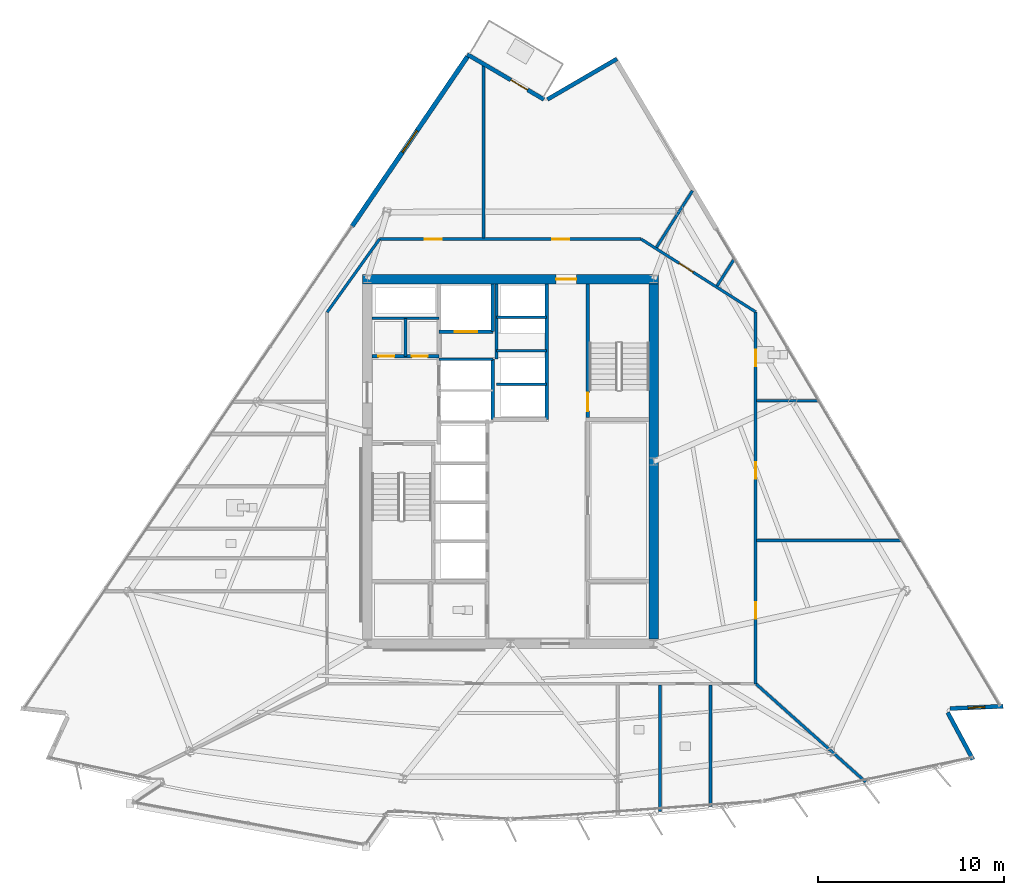
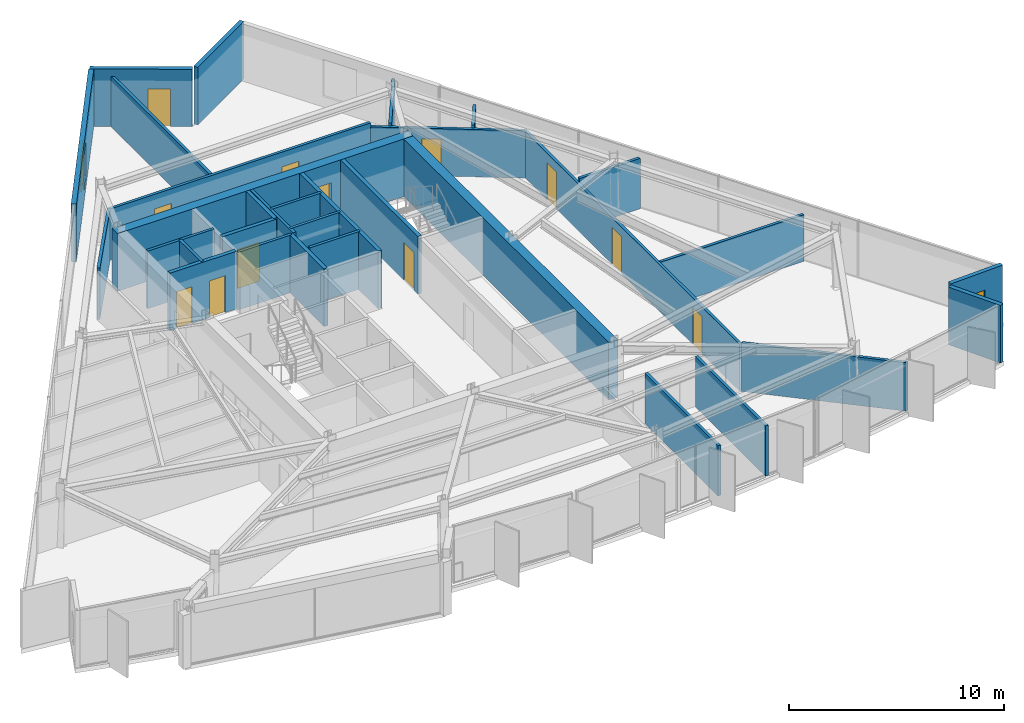
# One storey, part 9 of 14: 32 walls, 12 doors, 2 windows, 14 openings.
"""IFC4 building model written with IfcOpenShell, lengths in metres."""

from ifc_helpers import new_model, si_unit, direction, frame, frame_2d, origin, place, context, subcontext, project, spatial, rectangle, extrude, material, layer, layer_set, type_object, element, fill, save


model = new_model("IFC4")

# Units and contexts
model_context = context("Model", 3, precision=1e-05, world=origin(), true_north=direction((0.0, 1.0)))
body_context = subcontext(model_context, "Body", "Model", "MODEL_VIEW")
ifc_project = project(units=[si_unit("LENGTHUNIT", "METRE"), si_unit("AREAUNIT", "SQUARE_METRE"), si_unit("VOLUMEUNIT", "CUBIC_METRE"), si_unit("PLANEANGLEUNIT", "RADIAN"), si_unit("MASSUNIT", "GRAM", prefix="KILO")], contexts=[model_context])

# Site, building, storey
site_placement = place(None, origin())
site = spatial("IfcSite", under=ifc_project, at=site_placement, CompositionType="ELEMENT")
building_placement = place(site_placement, origin())
building = spatial("IfcBuilding", under=site, at=building_placement, Name="Savorim Split Tower", CompositionType="ELEMENT")
storey_placement = place(building_placement, frame((0.0, 0.0, 181.800048828125)))
storey = spatial("IfcBuildingStorey", under=building, at=storey_placement, Name="L48", CompositionType="ELEMENT", Elevation=181.800048828125)

# Wall, opening, door
ifc_material_1 = material(Name="Concrete C60/75", Category="concrete")
ifc_layer_1 = layer(ifc_material_1, 0.5)
ifc_layer_set_1 = layer_set([ifc_layer_1], Name="WAL-COR-SH500")
wall_type_1 = type_object("IfcWallType", Name="WAL-COR-SH500", PredefinedType="SHEAR", material=ifc_layer_set_1)
wall_1_placement = place(storey_placement, frame((7.949951171875, 10.199951171875, 0.0), z_axis=(0.0, 0.0, 1.0), x_axis=(-1.0, 0.0, 0.0)))
wall_1 = element("IfcWall", 1, at=wall_1_placement, inside=storey, type_object=wall_type_1, Name="L48 Offset Core North Shear Wall", PredefinedType="SHEAR", context=body_context, shape_type="SweptSolid", body=[
    extrude(rectangle(XDim=15.89990234375, YDim=0.5, at=frame_2d((7.949951171875, 0.0))), origin(), (0.0, 0.0, 1.0), 3.280029296875),
])
opening_1_placement = place(wall_1_placement, frame((4.39990234375, 0.0, 0.0)))
opening_1 = element("IfcOpeningElement", 2, at=opening_1_placement, cuts=wall_1, Name="Opening DI-03", PredefinedType="OPENING", context=body_context, shape_type="SweptSolid", body=[
    extrude(rectangle(XDim=1.10009765625, YDim=2.14990234375, at=frame_2d((0.550048828125, 1.074951171875))), frame((0.0, 0.260009765625, 0.0), z_axis=(0.0, -1.0, 0.0), x_axis=(1.0, 0.0, 0.0)), (0.0, 0.0, 1.0), 0.52001953125),
])
ifc_material_2 = material(Name="Timber Fire Door Leaf", Category="wood")
door_type_1 = type_object("IfcDoorType", Name="DOR-FIR-1100", OperationType="NOTDEFINED", PredefinedType="DOOR", material=ifc_material_2)
door_1_placement = place(opening_1_placement, origin())
door_1 = element("IfcDoor", 3, at=door_1_placement, inside=storey, type_object=door_type_1, Name="DOR-L48-COR-NLOB - L48 North Corridor Lobby Fire Door", OperationType="SINGLE_SWING_LEFT", OverallHeight=2.14990234375, OverallWidth=1.10009765625, PredefinedType="DOOR", context=body_context, shape_type="SweptSolid", body=[
    extrude(rectangle(XDim=1.10009765625, YDim=2.14990234375, at=frame_2d((0.550048828125, 1.074951171875))), frame((0.0, 0.02490234375, 0.0), z_axis=(0.0, -1.0, 0.0), x_axis=(1.0, 0.0, 0.0)), (0.0, 0.0, 1.0), 0.050048828125),
])
fill(opening_1, door_1)

# Walls
wall_2_placement = place(storey_placement, frame((7.699951171875, 9.949951171875, 0.0), z_axis=(0.0, 0.0, 1.0), x_axis=(0.0, -1.0, 0.0)))
element("IfcWall", 4, at=wall_2_placement, inside=storey, type_object=wall_type_1, Name="L48 Offset Core East Shear Wall", PredefinedType="SHEAR", context=body_context, shape_type="SweptSolid", body=[
    extrude(rectangle(XDim=19.099853515625, YDim=0.5, at=frame_2d((9.5498046875, 0.0))), origin(), (0.0, 0.0, 1.0), 3.280029296875),
])
ifc_material_3 = material(Name="Precast concrete C40/50", Category="concrete")
ifc_layer_2 = layer(ifc_material_3, 0.219970703125)
ifc_layer_set_2 = layer_set([ifc_layer_2], Name="WAL-EXT-CRN220")
wall_type_2 = type_object("IfcWallType", Name="WAL-EXT-CRN220", PredefinedType="SOLIDWALL", material=ifc_layer_set_2)
wall_3_placement = place(storey_placement, frame((23.51123046875, -13.102294921875, 0.0), z_axis=(0.0, 0.0, 1.0), x_axis=(0.472804807667, -0.881167188362, 0.0)))
element("IfcWall", 5, at=wall_3_placement, inside=storey, type_object=wall_type_2, Name="L48 Notched Corner Facade Wall SE1", PredefinedType="SOLIDWALL", context=body_context, shape_type="SweptSolid", body=[
    extrude(rectangle(XDim=2.867919921875, YDim=0.219970703125, at=frame_2d((1.43408203125, 0.0))), origin(), (0.0, 0.0, 1.0), 3.280029296875),
])

# Wall, opening, window
wall_4_placement = place(storey_placement, frame((26.495849609375, -12.766845703125, 0.0), z_axis=(0.0, 0.0, 1.0), x_axis=(-0.999095763679, -0.042516526188, 0.0)))
wall_4 = element("IfcWall", 6, at=wall_4_placement, inside=storey, type_object=wall_type_2, Name="L48 Notched Corner Facade Wall SE", PredefinedType="SOLIDWALL", context=body_context, shape_type="SweptSolid", body=[
    extrude(rectangle(XDim=2.865478515625, YDim=0.219970703125, at=frame_2d((1.4326171875, 0.0))), origin(), (0.0, 0.0, 1.0), 3.280029296875),
])
opening_2_placement = place(wall_4_placement, frame((0.982666015625, 0.0, 0.6201171875)))
opening_2 = element("IfcOpeningElement", 7, at=opening_2_placement, cuts=wall_4, Name="Opening WN-10", PredefinedType="OPENING", context=body_context, shape_type="SweptSolid", body=[
    extrude(rectangle(XDim=0.89990234375, YDim=1.60009765625, at=frame_2d((0.449951171875, 0.800048828125))), frame((0.0, 0.119873046875, 0.0), z_axis=(0.0, -1.0, 0.0), x_axis=(1.0, 0.0, 0.0)), (0.0, 0.0, 1.0), 0.239990234375),
])
ifc_material_4 = material(Name="Low-E Operable Double Glazing", Category="glass")
window_type_1 = type_object("IfcWindowType", Name="WIN-TWR-900x1600", PartitioningType="SINGLE_PANEL", PredefinedType="WINDOW", material=ifc_material_4)
window_1_placement = place(opening_2_placement, origin())
window_1 = element("IfcWindow", 8, at=window_1_placement, inside=storey, type_object=window_type_1, Name="L48 Operable Corner Window SE", OverallHeight=1.60009765625, OverallWidth=0.89990234375, PartitioningType="SINGLE_PANEL", PredefinedType="WINDOW", context=body_context, shape_type="SweptSolid", body=[
    extrude(rectangle(XDim=0.89990234375, YDim=1.60009765625, at=frame_2d((0.449951171875, 0.800048828125))), frame((0.0, 0.030029296875, 0.0), z_axis=(0.0, -1.0, 0.0), x_axis=(1.0, 0.0, 0.0)), (0.0, 0.0, 1.0), 0.06005859375),
])
fill(opening_2, window_1)

# Wall
wall_5_placement = place(storey_placement, frame((1.987060546875, 19.867919921875, 0.0), z_axis=(0.0, 0.0, 1.0), x_axis=(0.863979520686, 0.503526948469, 0.0)))
element("IfcWall", 9, at=wall_5_placement, inside=storey, type_object=wall_type_2, Name="L48 Notched Corner Facade Wall NE1", PredefinedType="SOLIDWALL", context=body_context, shape_type="SweptSolid", body=[
    extrude(rectangle(XDim=4.323974609375, YDim=0.219970703125, at=frame_2d((2.162109375, 0.0))), origin(), (0.0, 0.0, 1.0), 3.280029296875),
])

# Wall, opening, door
wall_6_placement = place(storey_placement, frame((-2.32177734375, 22.288818359375, 0.0), z_axis=(0.0, 0.0, 1.0), x_axis=(0.862111523483, -0.506718581738, 0.0)))
wall_6 = element("IfcWall", 10, at=wall_6_placement, inside=storey, type_object=wall_type_2, Name="L48 Notched Corner Facade Wall N", PredefinedType="SOLIDWALL", context=body_context, shape_type="SweptSolid", body=[
    extrude(rectangle(XDim=4.777099609375, YDim=0.219970703125, at=frame_2d((2.388671875, 0.0))), origin(), (0.0, 0.0, 1.0), 3.280029296875),
])
opening_3_placement = place(wall_6_placement, frame((2.713623046875, 0.0, 0.0)))
opening_3 = element("IfcOpeningElement", 11, at=opening_3_placement, cuts=wall_6, Name="Opening DB-01", PredefinedType="OPENING", context=body_context, shape_type="SweptSolid", body=[
    extrude(rectangle(XDim=1.050048828125, YDim=2.14990234375, at=frame_2d((0.52490234375, 1.074951171875))), frame((0.0, 0.119873046875, 0.0), z_axis=(0.0, -1.0, 0.0), x_axis=(1.0, 0.0, 0.0)), (0.0, 0.0, 1.0), 0.239990234375),
])
ifc_material_5 = material(Name="Charcoal Anodised Aluminium", Category="aluminium")
door_type_2 = type_object("IfcDoorType", Name="DOR-BAL-1050", OperationType="NOTDEFINED", PredefinedType="DOOR", material=ifc_material_5)
door_2_placement = place(opening_3_placement, origin())
door_2 = element("IfcDoor", 12, at=door_2_placement, inside=storey, type_object=door_type_2, Name="DOR-L48-TBAL-N - L48 Planted Tree Balcony Door N", OperationType="SINGLE_SWING_LEFT", OverallHeight=2.14990234375, OverallWidth=1.050048828125, PredefinedType="DOOR", context=body_context, shape_type="SweptSolid", body=[
    extrude(rectangle(XDim=1.050048828125, YDim=2.14990234375, at=frame_2d((0.52490234375, 1.074951171875))), frame((0.0, 0.02490234375, 0.0), z_axis=(0.0, -1.0, 0.0), x_axis=(1.0, 0.0, 0.0)), (0.0, 0.0, 1.0), 0.050048828125),
])
fill(opening_3, door_2)

# Wall, opening, window
ifc_layer_3 = layer(ifc_material_3, 0.25)
ifc_layer_set_3 = layer_set([ifc_layer_3], Name="WAL-EXT-SPN250")
wall_type_3 = type_object("IfcWallType", Name="WAL-EXT-SPN250", PredefinedType="SOLIDWALL", material=ifc_layer_set_3)
wall_7_placement = place(storey_placement, frame((-8.51708984375, 13.053466796875, 0.0), z_axis=(0.0, 0.0, 1.0), x_axis=(0.562463961516, 0.826821801838, 0.0)))
wall_7 = element("IfcWall", 13, at=wall_7_placement, inside=storey, type_object=wall_type_3, Name="L48 West Operable Window Pier", PredefinedType="SOLIDWALL", context=body_context, shape_type="SweptSolid", body=[
    extrude(rectangle(XDim=11.017578125, YDim=0.25, at=frame_2d((5.5087890625, 0.0))), origin(), (0.0, 0.0, 1.0), 3.280029296875),
])
opening_4_placement = place(wall_7_placement, frame((4.808837890625, 0.0, 0.6201171875)))
opening_4 = element("IfcOpeningElement", 14, at=opening_4_placement, cuts=wall_7, Name="Opening WN-07", PredefinedType="OPENING", context=body_context, shape_type="SweptSolid", body=[
    extrude(rectangle(XDim=1.39990234375, YDim=2.0, at=frame_2d((0.699951171875, 1.0))), frame((0.0, 0.135009765625, 0.0), z_axis=(0.0, -1.0, 0.0), x_axis=(1.0, 0.0, 0.0)), (0.0, 0.0, 1.0), 0.27001953125),
])
window_type_2 = type_object("IfcWindowType", Name="WIN-TWR-1400x2000", PartitioningType="SINGLE_PANEL", PredefinedType="WINDOW", material=ifc_material_4)
window_2_placement = place(opening_4_placement, origin())
window_2 = element("IfcWindow", 15, at=window_2_placement, inside=storey, type_object=window_type_2, Name="L48 West Operable Ventilation Window", OverallHeight=2.0, OverallWidth=1.39990234375, PartitioningType="SINGLE_PANEL", PredefinedType="WINDOW", context=body_context, shape_type="SweptSolid", body=[
    extrude(rectangle(XDim=1.39990234375, YDim=2.0, at=frame_2d((0.699951171875, 1.0))), frame((0.0, 0.030029296875, 0.0), z_axis=(0.0, -1.0, 0.0), x_axis=(1.0, 0.0, 0.0)), (0.0, 0.0, 1.0), 0.06005859375),
])
fill(opening_4, window_2)

# Wall, openings, doors
ifc_material_6 = material(Name="Concrete C50/60", Category="concrete")
ifc_layer_4 = layer(ifc_material_6, 0.199951171875)
ifc_layer_set_4 = layer_set([ifc_layer_4], Name="WAL-INT-RC200")
wall_type_4 = type_object("IfcWallType", Name="WAL-INT-RC200", PredefinedType="SOLIDWALL", material=ifc_layer_set_4)
wall_8_placement = place(storey_placement, frame((-7.445068359375, 6.050048828125, 0.0), z_axis=(0.0, 0.0, 1.0), x_axis=(1.0, 0.0, 0.0)))
wall_8 = element("IfcWall", 16, at=wall_8_placement, inside=storey, type_object=wall_type_4, Name="L48 Partition W-L48-CR04", PredefinedType="SOLIDWALL", context=body_context, shape_type="SweptSolid", body=[
    extrude(rectangle(XDim=3.594970703125, YDim=0.199951171875, at=frame_2d((1.79736328125, 0.0))), origin(), (0.0, 0.0, 1.0), 3.280029296875),
])
opening_5_placement = place(wall_8_placement, frame((0.344970703125, 0.0, 0.0)))
opening_5 = element("IfcOpeningElement", 17, at=opening_5_placement, cuts=wall_8, Name="Opening DI-12", PredefinedType="OPENING", context=body_context, shape_type="SweptSolid", body=[
    extrude(rectangle(XDim=0.85009765625, YDim=2.10009765625, at=frame_2d((0.425048828125, 1.050048828125))), frame((0.0, 0.10986328125, 0.0), z_axis=(0.0, -1.0, 0.0), x_axis=(1.0, 0.0, 0.0)), (0.0, 0.0, 1.0), 0.219970703125),
])
opening_6_placement = place(wall_8_placement, frame((2.14501953125, 0.0, 0.0)))
opening_6 = element("IfcOpeningElement", 18, at=opening_6_placement, cuts=wall_8, Name="Opening DI-12", PredefinedType="OPENING", context=body_context, shape_type="SweptSolid", body=[
    extrude(rectangle(XDim=0.85009765625, YDim=2.10009765625, at=frame_2d((0.425048828125, 1.050048828125))), frame((0.0, 0.10986328125, 0.0), z_axis=(0.0, -1.0, 0.0), x_axis=(1.0, 0.0, 0.0)), (0.0, 0.0, 1.0), 0.219970703125),
])
ifc_material_7 = material(Name="Galvanised Painted Steel Balustrade", Category="steel")
door_type_3 = type_object("IfcDoorType", Name="DOR-RIS-850", OperationType="NOTDEFINED", PredefinedType="DOOR", material=ifc_material_7)
door_3_placement = place(opening_5_placement, origin())
door_3 = element("IfcDoor", 19, at=door_3_placement, inside=storey, type_object=door_type_3, Name="DR-L48-ELR - L48 Electrical Riser Access Door", OperationType="SINGLE_SWING_RIGHT", OverallHeight=2.10009765625, OverallWidth=0.85009765625, PredefinedType="DOOR", context=body_context, shape_type="SweptSolid", body=[
    extrude(rectangle(XDim=0.85009765625, YDim=2.10009765625, at=frame_2d((0.425048828125, 1.050048828125))), frame((0.0, 0.02490234375, 0.0), z_axis=(0.0, -1.0, 0.0), x_axis=(1.0, 0.0, 0.0)), (0.0, 0.0, 1.0), 0.050048828125),
])
fill(opening_5, door_3)
door_4_placement = place(opening_6_placement, origin())
door_4 = element("IfcDoor", 20, at=door_4_placement, inside=storey, type_object=door_type_3, Name="DR-L48-TLR - L48 Telecom Riser Access Door", OperationType="SINGLE_SWING_LEFT", OverallHeight=2.10009765625, OverallWidth=0.85009765625, PredefinedType="DOOR", context=body_context, shape_type="SweptSolid", body=[
    extrude(rectangle(XDim=0.85009765625, YDim=2.10009765625, at=frame_2d((0.425048828125, 1.050048828125))), frame((0.0, 0.02490234375, 0.0), z_axis=(0.0, -1.0, 0.0), x_axis=(1.0, 0.0, 0.0)), (0.0, 0.0, 1.0), 0.050048828125),
])
fill(opening_6, door_4)

# Wall, opening, door
wall_9_placement = place(storey_placement, frame((4.14990234375, 2.75, 0.0), z_axis=(0.0, 0.0, 1.0), x_axis=(0.0, 1.0, 0.0)))
wall_9 = element("IfcWall", 21, at=wall_9_placement, inside=storey, type_object=wall_type_4, Name="L48 Structural Shaft Wall W-L48-CR07", PredefinedType="SOLIDWALL", context=body_context, shape_type="SweptSolid", body=[
    extrude(rectangle(XDim=7.199951171875, YDim=0.199951171875, at=frame_2d((3.60009765625, 0.0))), origin(), (0.0, 0.0, 1.0), 3.280029296875),
])
opening_7_placement = place(wall_9_placement, frame((0.35009765625, 0.0, 0.0)))
opening_7 = element("IfcOpeningElement", 22, at=opening_7_placement, cuts=wall_9, Name="Opening DI-04", PredefinedType="OPENING", context=body_context, shape_type="SweptSolid", body=[
    extrude(rectangle(XDim=1.0, YDim=2.14990234375, at=frame_2d((0.5, 1.074951171875))), frame((0.0, 0.10986328125, 0.0), z_axis=(0.0, -1.0, 0.0), x_axis=(1.0, 0.0, 0.0)), (0.0, 0.0, 1.0), 0.219970703125),
])
door_type_4 = type_object("IfcDoorType", Name="DOR-FIR-1000", OperationType="NOTDEFINED", PredefinedType="DOOR", material=ifc_material_2)
door_5_placement = place(opening_7_placement, origin())
door_5 = element("IfcDoor", 23, at=door_5_placement, inside=storey, type_object=door_type_4, Name="DR-L48-ST2 - L48 Stair ST-2 Enclosure Door", OperationType="SINGLE_SWING_RIGHT", OverallHeight=2.14990234375, OverallWidth=1.0, PredefinedType="DOOR", context=body_context, shape_type="SweptSolid", body=[
    extrude(rectangle(XDim=1.0, YDim=2.14990234375, at=frame_2d((0.5, 1.074951171875))), frame((0.0, 0.02490234375, 0.0), z_axis=(0.0, -1.0, 0.0), x_axis=(1.0, 0.0, 0.0)), (0.0, 0.0, 1.0), 0.050048828125),
])
fill(opening_7, door_5)

# Wall
wall_10_placement = place(storey_placement, frame((-0.949951171875, 2.64990234375, 0.0), z_axis=(0.0, 0.0, 1.0), x_axis=(0.0, 1.0, 0.0)))
element("IfcWall", 24, at=wall_10_placement, inside=storey, type_object=wall_type_4, Name="L48 Partition W-L48-FFLW", PredefinedType="SOLIDWALL", context=body_context, shape_type="SweptSolid", body=[
    extrude(rectangle(XDim=3.27001953125, YDim=0.199951171875, at=frame_2d((1.635009765625, 0.0))), origin(), (0.0, 0.0, 1.0), 3.280029296875),
])

# Wall, opening, door
wall_11_placement = place(storey_placement, frame((-3.85009765625, 7.3798828125, 0.0), z_axis=(0.0, 0.0, 1.0), x_axis=(1.0, 0.0, 0.0)))
wall_11 = element("IfcWall", 25, at=wall_11_placement, inside=storey, type_object=wall_type_4, Name="L48 Partition W-L48-SVLS", PredefinedType="SOLIDWALL", context=body_context, shape_type="SweptSolid", body=[
    extrude(rectangle(XDim=2.900146484375, YDim=0.199951171875, at=frame_2d((1.4501953125, 0.0))), origin(), (0.0, 0.0, 1.0), 3.280029296875),
])
opening_8_placement = place(wall_11_placement, frame((0.85009765625, 0.0, 0.0)))
opening_8 = element("IfcOpeningElement", 26, at=opening_8_placement, cuts=wall_11, Name="Opening LD-SV", PredefinedType="OPENING", context=body_context, shape_type="SweptSolid", body=[
    extrude(rectangle(XDim=1.199951171875, YDim=2.199951171875, at=frame_2d((0.60009765625, 1.10009765625))), frame((0.0, 0.10986328125, 0.0), z_axis=(0.0, -1.0, 0.0), x_axis=(1.0, 0.0, 0.0)), (0.0, 0.0, 1.0), 0.219970703125),
])
door_type_5 = type_object("IfcDoorType", Name="DOR-SLD-SV1200", OperationType="NOTDEFINED", PredefinedType="DOOR", material=ifc_material_5)
door_6_placement = place(opening_8_placement, origin())
door_6 = element("IfcDoor", 27, at=door_6_placement, inside=storey, type_object=door_type_5, Name="DR-L48-LD-SVL1 - L48 Service Lift SVL-1 Sliding Landing Door", OperationType="DOUBLE_DOOR_SLIDING", OverallHeight=2.199951171875, OverallWidth=1.199951171875, PredefinedType="DOOR", context=body_context, shape_type="SweptSolid", body=[
    extrude(rectangle(XDim=1.199951171875, YDim=2.199951171875, at=frame_2d((0.60009765625, 1.10009765625))), frame((0.0, 0.02490234375, 0.0), z_axis=(0.0, -1.0, 0.0), x_axis=(1.0, 0.0, 0.0)), (0.0, 0.0, 1.0), 0.050048828125),
])
fill(opening_8, door_6)

# Walls
wall_12_placement = place(storey_placement, frame((-0.949951171875, 7.3798828125, 0.0), z_axis=(0.0, 0.0, 1.0), x_axis=(0.0, 1.0, 0.0)))
element("IfcWall", 28, at=wall_12_placement, inside=storey, type_object=wall_type_4, Name="L48 Partition W-L48-SVLE", PredefinedType="SOLIDWALL", context=body_context, shape_type="SweptSolid", body=[
    extrude(rectangle(XDim=2.565185546875, YDim=0.199951171875, at=frame_2d((1.28271484375, 0.0))), origin(), (0.0, 0.0, 1.0), 3.280029296875),
])
wall_13_placement = place(storey_placement, frame((1.949951171875, 2.64990234375, 0.0), z_axis=(0.0, 0.0, 1.0), x_axis=(0.0, 1.0, 0.0)))
element("IfcWall", 29, at=wall_13_placement, inside=storey, type_object=wall_type_4, Name="L48 Partition W-L48-B3FRONT", PredefinedType="SOLIDWALL", context=body_context, shape_type="SweptSolid", body=[
    extrude(rectangle(XDim=7.295166015625, YDim=0.199951171875, at=frame_2d((3.6474609375, 0.0))), origin(), (0.0, 0.0, 1.0), 3.280029296875),
])
ifc_material_8 = material(Name="Acoustic Gypsum Partition Board")
ifc_layer_5 = layer(ifc_material_8, 0.14990234375)
ifc_layer_set_5 = layer_set([ifc_layer_5], Name="WAL-PAR-150")
wall_type_5 = type_object("IfcWallType", Name="WAL-PAR-150", PredefinedType="PARTITIONING", material=ifc_layer_set_5)
wall_14_placement = place(storey_placement, frame((-7.445068359375, 8.10009765625, 0.0), z_axis=(0.0, 0.0, 1.0), x_axis=(1.0, 0.0, 0.0)))
element("IfcWall", 30, at=wall_14_placement, inside=storey, type_object=wall_type_5, Name="L48 Partition W-L48-CR05", PredefinedType="PARTITIONING", context=body_context, shape_type="SweptSolid", body=[
    extrude(rectangle(XDim=3.594970703125, YDim=0.14990234375, at=frame_2d((1.79736328125, 0.0))), origin(), (0.0, 0.0, 1.0), 3.280029296875),
])
wall_15_placement = place(storey_placement, frame((-5.64990234375, 6.050048828125, 0.0), z_axis=(0.0, 0.0, 1.0), x_axis=(0.0, 1.0, 0.0)))
element("IfcWall", 31, at=wall_15_placement, inside=storey, type_object=wall_type_5, Name="L48 Partition W-L48-CR06", PredefinedType="PARTITIONING", context=body_context, shape_type="SweptSolid", body=[
    extrude(rectangle(XDim=2.050048828125, YDim=0.14990234375, at=frame_2d((1.02490234375, 0.0))), origin(), (0.0, 0.0, 1.0), 3.280029296875),
])
wall_16_placement = place(storey_placement, frame((-3.85009765625, 5.89990234375, 0.0), z_axis=(0.0, 0.0, 1.0), x_axis=(1.0, 0.0, 0.0)))
element("IfcWall", 32, at=wall_16_placement, inside=storey, type_object=wall_type_5, Name="L48 Partition W-L48-FFLD2", PredefinedType="PARTITIONING", context=body_context, shape_type="SweptSolid", body=[
    extrude(rectangle(XDim=2.900146484375, YDim=0.14990234375, at=frame_2d((1.4501953125, 0.0))), origin(), (0.0, 0.0, 1.0), 3.280029296875),
])
wall_17_placement = place(storey_placement, frame((-0.75, 5.919921875, 0.0), z_axis=(0.0, 0.0, 1.0), x_axis=(0.0, 1.0, 0.0)))
element("IfcWall", 33, at=wall_17_placement, inside=storey, type_object=wall_type_5, Name="L48 Partition W-L48-B3WEST", PredefinedType="PARTITIONING", context=body_context, shape_type="SweptSolid", body=[
    extrude(rectangle(XDim=4.025146484375, YDim=0.14990234375, at=frame_2d((2.0126953125, 0.0))), origin(), (0.0, 0.0, 1.0), 3.280029296875),
])
for number, where, z_axis, x_axis, name in (
    (34, (-0.75, 4.550048828125, 0.0), (0.0, 0.0, 1.0), (1.0, 0.0, 0.0), "L48 Partition W-L48-B3DIV1"),
    (35, (-0.75, 6.35009765625, 0.0), (0.0, 0.0, 1.0), (1.0, 0.0, 0.0), "L48 Partition W-L48-B3DIV2"),
    (36, (-0.75, 8.14990234375, 0.0), (0.0, 0.0, 1.0), (1.0, 0.0, 0.0), "L48 Partition W-L48-B3DIV3"),
):
    element("IfcWall", number, at=place(storey_placement, frame(where, z_axis=z_axis, x_axis=x_axis)), inside=storey, type_object=wall_type_5, Name=name, PredefinedType="PARTITIONING", context=body_context, shape_type="SweptSolid", body=[
        extrude(rectangle(XDim=2.699951171875, YDim=0.14990234375, at=frame_2d((1.35009765625, 0.0))), origin(), (0.0, 0.0, 1.0), 3.280029296875),
    ])
wall_18_placement = place(storey_placement, frame((-9.860107421875, 8.42578125, 0.0), z_axis=(0.0, 0.0, 1.0), x_axis=(0.582449511476, 0.812866881218, 0.0)))
element("IfcWall", 37, at=wall_18_placement, inside=storey, type_object=wall_type_5, Name="L48 Partition W-L48-COR-02", PredefinedType="PARTITIONING", context=body_context, shape_type="SweptSolid", body=[
    extrude(rectangle(XDim=4.840087890625, YDim=0.14990234375, at=frame_2d((2.419921875, 0.0))), origin(), (0.0, 0.0, 1.0), 2.93505859375),
])

# Wall, openings, doors
wall_19_placement = place(storey_placement, frame((-7.041015625, 12.360107421875, 0.0), z_axis=(0.0, 0.0, 1.0), x_axis=(1.0, 0.0, 0.0)))
wall_19 = element("IfcWall", 38, at=wall_19_placement, inside=storey, type_object=wall_type_5, Name="L48 Partition W-L48-COR-03", PredefinedType="PARTITIONING", context=body_context, shape_type="SweptSolid", body=[
    extrude(rectangle(XDim=14.064208984375, YDim=0.14990234375, at=frame_2d((7.0322265625, 0.0))), origin(), (0.0, 0.0, 1.0), 2.93505859375),
])
opening_9_placement = place(wall_19_placement, frame((9.29150390625, 0.0, 0.0)))
opening_9 = element("IfcOpeningElement", 39, at=opening_9_placement, cuts=wall_19, Name="Opening DI-06", PredefinedType="OPENING", context=body_context, shape_type="SweptSolid", body=[
    extrude(rectangle(XDim=0.89990234375, YDim=2.10009765625, at=frame_2d((0.449951171875, 1.050048828125))), frame((0.0, 0.0849609375, 0.0), z_axis=(0.0, -1.0, 0.0), x_axis=(1.0, 0.0, 0.0)), (0.0, 0.0, 1.0), 0.169921875),
])
opening_10_placement = place(wall_19_placement, frame((2.4375, 0.0, 0.0)))
opening_10 = element("IfcOpeningElement", 40, at=opening_10_placement, cuts=wall_19, Name="Opening DI-06", PredefinedType="OPENING", context=body_context, shape_type="SweptSolid", body=[
    extrude(rectangle(XDim=0.89990234375, YDim=2.10009765625, at=frame_2d((0.449951171875, 1.050048828125))), frame((0.0, 0.0849609375, 0.0), z_axis=(0.0, -1.0, 0.0), x_axis=(1.0, 0.0, 0.0)), (0.0, 0.0, 1.0), 0.169921875),
])
door_type_6 = type_object("IfcDoorType", Name="DOR-FIR-900", OperationType="NOTDEFINED", PredefinedType="DOOR", material=ifc_material_2)
door_7_placement = place(opening_9_placement, origin())
door_7 = element("IfcDoor", 41, at=door_7_placement, inside=storey, type_object=door_type_6, Name="DR-L48-RM13 - L48 Co-Working Commons Entry Door", OperationType="SINGLE_SWING_RIGHT", OverallHeight=2.10009765625, OverallWidth=0.89990234375, PredefinedType="DOOR", context=body_context, shape_type="SweptSolid", body=[
    extrude(rectangle(XDim=0.89990234375, YDim=2.10009765625, at=frame_2d((0.449951171875, 1.050048828125))), frame((0.0, 0.02490234375, 0.0), z_axis=(0.0, -1.0, 0.0), x_axis=(1.0, 0.0, 0.0)), (0.0, 0.0, 1.0), 0.050048828125),
])
fill(opening_9, door_7)
door_8_placement = place(opening_10_placement, origin())
door_8 = element("IfcDoor", 42, at=door_8_placement, inside=storey, type_object=door_type_6, Name="DR-L48-RM14 - L48 Maker Workshop Entry Door", OperationType="SINGLE_SWING_LEFT", OverallHeight=2.10009765625, OverallWidth=0.89990234375, PredefinedType="DOOR", context=body_context, shape_type="SweptSolid", body=[
    extrude(rectangle(XDim=0.89990234375, YDim=2.10009765625, at=frame_2d((0.449951171875, 1.050048828125))), frame((0.0, 0.02490234375, 0.0), z_axis=(0.0, -1.0, 0.0), x_axis=(1.0, 0.0, 0.0)), (0.0, 0.0, 1.0), 0.050048828125),
])
fill(opening_10, door_8)

# Wall, opening, door
wall_20_placement = place(storey_placement, frame((7.023193359375, 12.360107421875, 0.0), z_axis=(0.0, 0.0, 1.0), x_axis=(0.84376480085, -0.536713108511, 0.0)))
wall_20 = element("IfcWall", 43, at=wall_20_placement, inside=storey, type_object=wall_type_5, Name="L48 Partition W-L48-COR-04", PredefinedType="PARTITIONING", context=body_context, shape_type="SweptSolid", body=[
    extrude(rectangle(XDim=7.296630859375, YDim=0.14990234375, at=frame_2d((3.6484375, 0.0))), origin(), (0.0, 0.0, 1.0), 2.704833984375),
])
opening_11_placement = place(wall_20_placement, frame((2.418701171875, 0.0, 0.0)))
opening_11 = element("IfcOpeningElement", 44, at=opening_11_placement, cuts=wall_20, Name="Opening DI-06", PredefinedType="OPENING", context=body_context, shape_type="SweptSolid", body=[
    extrude(rectangle(XDim=0.89990234375, YDim=2.10009765625, at=frame_2d((0.449951171875, 1.050048828125))), frame((0.0, 0.0849609375, 0.0), z_axis=(0.0, -1.0, 0.0), x_axis=(1.0, 0.0, 0.0)), (0.0, 0.0, 1.0), 0.169921875),
])
door_9_placement = place(opening_11_placement, origin())
door_9 = element("IfcDoor", 45, at=door_9_placement, inside=storey, type_object=door_type_6, Name="DR-L48-RM12 - L48 Quiet Study Room Entry Door", OperationType="SINGLE_SWING_LEFT", OverallHeight=2.10009765625, OverallWidth=0.89990234375, PredefinedType="DOOR", context=body_context, shape_type="SweptSolid", body=[
    extrude(rectangle(XDim=0.89990234375, YDim=2.10009765625, at=frame_2d((0.449951171875, 1.050048828125))), frame((0.0, 0.02490234375, 0.0), z_axis=(0.0, -1.0, 0.0), x_axis=(1.0, 0.0, 0.0)), (0.0, 0.0, 1.0), 0.050048828125),
])
fill(opening_11, door_9)

# Wall, openings, doors
wall_21_placement = place(storey_placement, frame((13.179931640625, 8.44384765625, 0.0), z_axis=(0.0, 0.0, 1.0), x_axis=(0.0, -1.0, 0.0)))
wall_21 = element("IfcWall", 46, at=wall_21_placement, inside=storey, type_object=wall_type_5, Name="L48 Partition W-L48-COR-05", PredefinedType="PARTITIONING", context=body_context, shape_type="SweptSolid", body=[
    extrude(rectangle(XDim=20.00390625, YDim=0.14990234375, at=frame_2d((10.001953125, 0.0))), origin(), (0.0, 0.0, 1.0), 2.655029296875),
])
opening_12_placement = place(wall_21_placement, frame((15.6103515625, 0.0, 0.0)))
opening_12 = element("IfcOpeningElement", 47, at=opening_12_placement, cuts=wall_21, Name="Opening DI-06", PredefinedType="OPENING", context=body_context, shape_type="SweptSolid", body=[
    extrude(rectangle(XDim=0.89990234375, YDim=2.10009765625, at=frame_2d((0.449951171875, 1.050048828125))), frame((0.0, 0.0849609375, 0.0), z_axis=(0.0, -1.0, 0.0), x_axis=(1.0, 0.0, 0.0)), (0.0, 0.0, 1.0), 0.169921875),
])
opening_13_placement = place(wall_21_placement, frame((8.088134765625, 0.0, 0.0)))
opening_13 = element("IfcOpeningElement", 48, at=opening_13_placement, cuts=wall_21, Name="Opening DI-06", PredefinedType="OPENING", context=body_context, shape_type="SweptSolid", body=[
    extrude(rectangle(XDim=0.89990234375, YDim=2.10009765625, at=frame_2d((0.449951171875, 1.050048828125))), frame((0.0, 0.0849609375, 0.0), z_axis=(0.0, -1.0, 0.0), x_axis=(1.0, 0.0, 0.0)), (0.0, 0.0, 1.0), 0.169921875),
])
opening_14_placement = place(wall_21_placement, frame((2.02978515625, 0.0, 0.0)))
opening_14 = element("IfcOpeningElement", 49, at=opening_14_placement, cuts=wall_21, Name="Opening DI-11", PredefinedType="OPENING", context=body_context, shape_type="SweptSolid", body=[
    extrude(rectangle(XDim=0.89990234375, YDim=2.10009765625, at=frame_2d((0.449951171875, 1.050048828125))), frame((0.0, 0.0849609375, 0.0), z_axis=(0.0, -1.0, 0.0), x_axis=(1.0, 0.0, 0.0)), (0.0, 0.0, 1.0), 0.169921875),
])
door_10_placement = place(opening_12_placement, origin())
door_10 = element("IfcDoor", 50, at=door_10_placement, inside=storey, type_object=door_type_6, Name="DR-L48-RM09 - L48 Co-Working Commons Entry Door", OperationType="SINGLE_SWING_RIGHT", OverallHeight=2.10009765625, OverallWidth=0.89990234375, PredefinedType="DOOR", context=body_context, shape_type="SweptSolid", body=[
    extrude(rectangle(XDim=0.89990234375, YDim=2.10009765625, at=frame_2d((0.449951171875, 1.050048828125))), frame((0.0, 0.02490234375, 0.0), z_axis=(0.0, -1.0, 0.0), x_axis=(1.0, 0.0, 0.0)), (0.0, 0.0, 1.0), 0.050048828125),
])
fill(opening_12, door_10)
door_11_placement = place(opening_13_placement, origin())
door_11 = element("IfcDoor", 51, at=door_11_placement, inside=storey, type_object=door_type_6, Name="DR-L48-RM10 - L48 Maker Workshop Entry Door", OperationType="SINGLE_SWING_LEFT", OverallHeight=2.10009765625, OverallWidth=0.89990234375, PredefinedType="DOOR", context=body_context, shape_type="SweptSolid", body=[
    extrude(rectangle(XDim=0.89990234375, YDim=2.10009765625, at=frame_2d((0.449951171875, 1.050048828125))), frame((0.0, 0.02490234375, 0.0), z_axis=(0.0, -1.0, 0.0), x_axis=(1.0, 0.0, 0.0)), (0.0, 0.0, 1.0), 0.050048828125),
])
fill(opening_13, door_11)
ifc_material_9 = material(Name="Oak Veneer Acoustic Door")
door_type_7 = type_object("IfcDoorType", Name="DOR-WC-900", OperationType="NOTDEFINED", PredefinedType="DOOR", material=ifc_material_9)
door_12_placement = place(opening_14_placement, origin())
door_12 = element("IfcDoor", 52, at=door_12_placement, inside=storey, type_object=door_type_7, Name="DR-L48-RM11 - L48 Shared Bathroom Entry Door", OperationType="SINGLE_SWING_RIGHT", OverallHeight=2.10009765625, OverallWidth=0.89990234375, PredefinedType="DOOR", context=body_context, shape_type="SweptSolid", body=[
    extrude(rectangle(XDim=0.89990234375, YDim=2.10009765625, at=frame_2d((0.449951171875, 1.050048828125))), frame((0.0, 0.02490234375, 0.0), z_axis=(0.0, -1.0, 0.0), x_axis=(1.0, 0.0, 0.0)), (0.0, 0.0, 1.0), 0.050048828125),
])
fill(opening_14, door_12)

# Walls
wall_22_placement = place(storey_placement, frame((13.2080078125, -11.568603515625, 0.0), z_axis=(0.0, 0.0, 1.0), x_axis=(0.745585259338, -0.666410249815, 0.0)))
element("IfcWall", 53, at=wall_22_placement, inside=storey, type_object=wall_type_5, Name="L48 Partition W-L48-PRAD04", PredefinedType="PARTITIONING", context=body_context, shape_type="SweptSolid", body=[
    extrude(rectangle(XDim=7.90625, YDim=0.14990234375, at=frame_2d((3.953125, 0.0))), origin(), (0.0, 0.0, 1.0), 2.7548828125),
])
wall_23_placement = place(storey_placement, frame((13.239990234375, 3.66259765625, 0.0), z_axis=(0.0, 0.0, 1.0), x_axis=(1.0, 0.0, 0.0)))
element("IfcWall", 54, at=wall_23_placement, inside=storey, type_object=wall_type_5, Name="L48 Partition W-L48-PRAD06", PredefinedType="PARTITIONING", context=body_context, shape_type="SweptSolid", body=[
    extrude(rectangle(XDim=3.263671875, YDim=0.14990234375, at=frame_2d((1.6318359375, 0.0))), origin(), (0.0, 0.0, 1.0), 2.864990234375),
])
wall_24_placement = place(storey_placement, frame((7.846435546875, 11.907470703125, 0.0), z_axis=(0.0, 0.0, 1.0), x_axis=(0.536683232566, 0.843783803994, 0.0)))
element("IfcWall", 55, at=wall_24_placement, inside=storey, type_object=wall_type_5, Name="L48 Partition W-L48-PRAD07", PredefinedType="PARTITIONING", context=body_context, shape_type="SweptSolid", body=[
    extrude(rectangle(XDim=3.615478515625, YDim=0.14990234375, at=frame_2d((1.8076171875, 0.0))), origin(), (0.0, 0.0, 1.0), 2.864990234375),
])
wall_25_placement = place(storey_placement, frame((10.75634765625, -11.6201171875, 0.0), z_axis=(0.0, 0.0, 1.0), x_axis=(0.0, -1.0, 0.0)))
element("IfcWall", 56, at=wall_25_placement, inside=storey, type_object=wall_type_5, Name="L48 Partition W-L48-SUB02", PredefinedType="PARTITIONING", context=body_context, shape_type="SweptSolid", body=[
    extrude(rectangle(XDim=6.54541015625, YDim=0.14990234375, at=frame_2d((3.272705078125, 0.0))), origin(), (0.0, 0.0, 1.0), 2.864990234375),
])
wall_26_placement = place(storey_placement, frame((11.105712890625, 9.83447265625, 0.0), z_axis=(0.0, 0.0, 1.0), x_axis=(0.536761550841, 0.843733985056, 0.0)))
element("IfcWall", 57, at=wall_26_placement, inside=storey, type_object=wall_type_5, Name="L48 Partition W-L48-SUB03", PredefinedType="PARTITIONING", context=body_context, shape_type="SweptSolid", body=[
    extrude(rectangle(XDim=1.663818359375, YDim=0.14990234375, at=frame_2d((0.83203125, 0.0))), origin(), (0.0, 0.0, 1.0), 2.864990234375),
])
wall_27_placement = place(storey_placement, frame((8.04248046875, -11.6201171875, 0.0), z_axis=(0.0, 0.0, 1.0), x_axis=(0.0, -1.0, 0.0)))
element("IfcWall", 58, at=wall_27_placement, inside=storey, type_object=wall_type_5, Name="L48 Partition W-L48-SUB05", PredefinedType="PARTITIONING", context=body_context, shape_type="SweptSolid", body=[
    extrude(rectangle(XDim=6.81787109375, YDim=0.14990234375, at=frame_2d((3.408935546875, 0.0))), origin(), (0.0, 0.0, 1.0), 2.864990234375),
])
wall_28_placement = place(storey_placement, frame((13.239990234375, -3.85107421875, 0.0), z_axis=(0.0, 0.0, 1.0), x_axis=(1.0, 0.0, 0.0)))
element("IfcWall", 59, at=wall_28_placement, inside=storey, type_object=wall_type_5, Name="L48 Partition W-L48-SUB06", PredefinedType="PARTITIONING", context=body_context, shape_type="SweptSolid", body=[
    extrude(rectangle(XDim=7.731201171875, YDim=0.14990234375, at=frame_2d((3.86572265625, 0.0))), origin(), (0.0, 0.0, 1.0), 2.655029296875),
])
wall_29_placement = place(storey_placement, frame((-1.444580078125, 12.419921875, 0.0), z_axis=(0.0, 0.0, 1.0), x_axis=(0.0, 1.0, 0.0)))
element("IfcWall", 60, at=wall_29_placement, inside=storey, type_object=wall_type_5, Name="L48 Partition W-L48-SUB07", PredefinedType="PARTITIONING", context=body_context, shape_type="SweptSolid", body=[
    extrude(rectangle(XDim=9.295166015625, YDim=0.14990234375, at=frame_2d((4.6474609375, 0.0))), origin(), (0.0, 0.0, 1.0), 2.864990234375),
])

save(model, "model.ifc")
